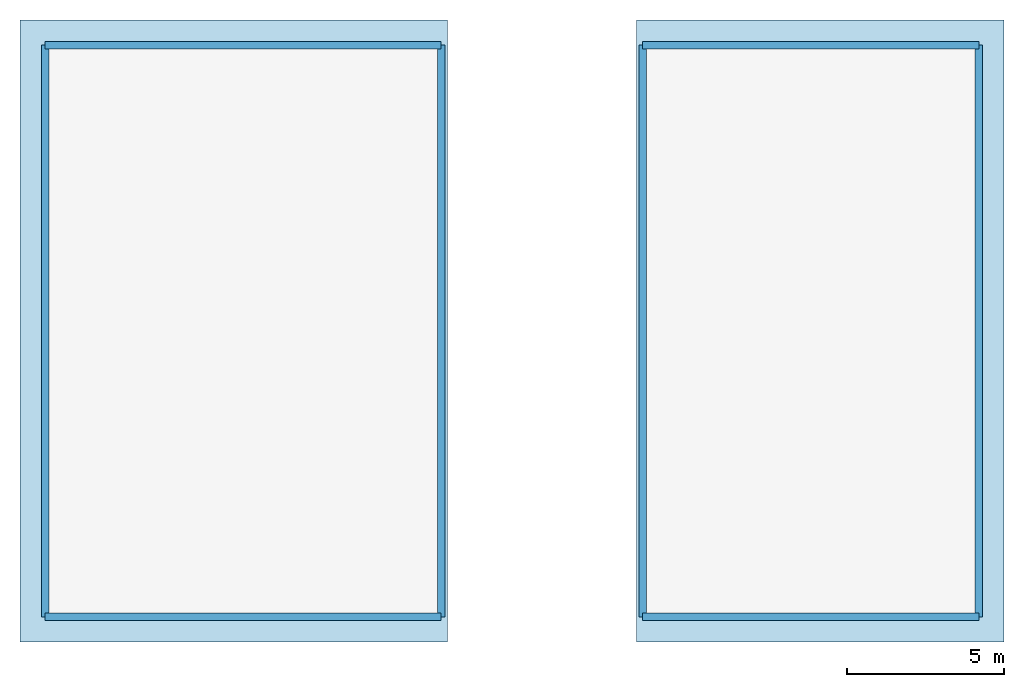
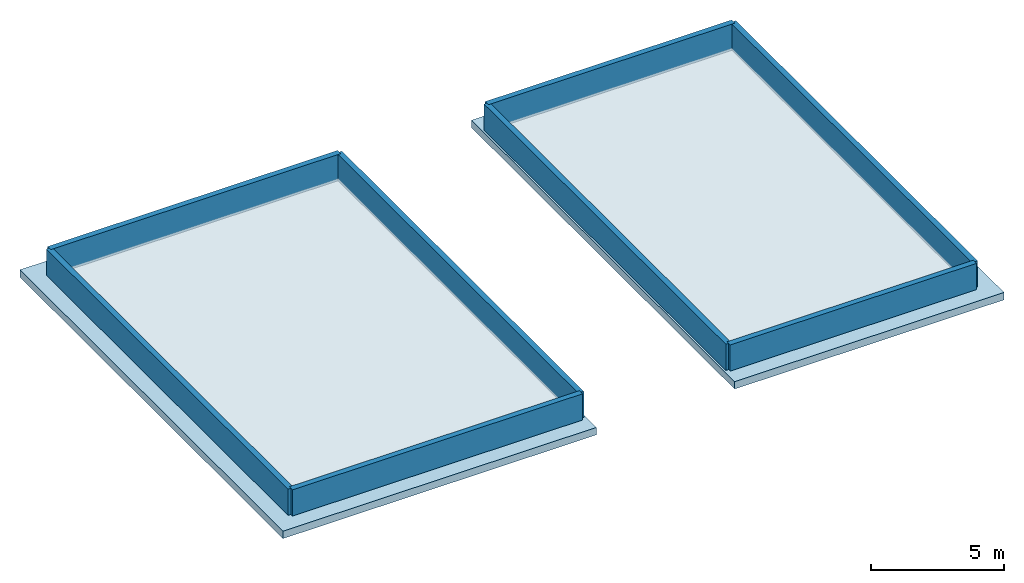
# One storey, part 1 of 2: 8 walls, 2 slabs.
"""IFC4 building model written with IfcOpenShell, lengths in metres."""

from ifc_helpers import new_model, si_unit, direction, frame, frame_2d, origin, place, context, subcontext, project, spatial, polyline, rectangle, outline, extrude, material, layer, layer_set, type_object, element, save


model = new_model("IFC4")

# Units and contexts
model_context = context("Model", 3, precision=1e-05, world=origin(), true_north=direction((0.0, 1.0)))
body_context = subcontext(model_context, "Body", "Model", "MODEL_VIEW")
ifc_project = project(units=[si_unit("LENGTHUNIT", "METRE"), si_unit("AREAUNIT", "SQUARE_METRE"), si_unit("VOLUMEUNIT", "CUBIC_METRE"), si_unit("PLANEANGLEUNIT", "RADIAN"), si_unit("MASSUNIT", "GRAM", prefix="KILO")], contexts=[model_context])

# Site, building, storey
site_placement = place(None, origin())
site = spatial("IfcSite", under=ifc_project, at=site_placement, CompositionType="ELEMENT")
building_placement = place(site_placement, origin())
building = spatial("IfcBuilding", under=site, at=building_placement, Name="Solanera Arch Residences", CompositionType="ELEMENT")
storey_placement = place(building_placement, frame((0.0, 0.0, 302.580078125)))
storey = spatial("IfcBuildingStorey", under=building, at=storey_placement, Name="ROOF", CompositionType="ELEMENT", Elevation=302.580078125)

# Slabs
ifc_material_1 = material(Name="Concrete C55/67 (f'c = 60 MPa)", Category="concrete")
ifc_layer_1 = layer(ifc_material_1, 0.340087890625)
ifc_layer_set_1 = layer_set([ifc_layer_1], Name="Concrete C55/67 (f'c = 60 MPa)")
slab_type = type_object("IfcSlabType", Name="Roof Deck Slab 340", PredefinedType="ROOF", material=ifc_layer_set_1)
slab_1_placement = place(storey_placement, origin())
element("IfcSlab", 1, at=slab_1_placement, inside=storey, type_object=slab_type, Name="Crown West Peak Overhanging Roof Cap", PredefinedType="ROOF", context=body_context, shape_type="SweptSolid", body=[
    extrude(outline(polyline([(9.419921875, 20.820068359375), (23.0, 20.820068359375), (23.0, 40.580078125), (9.419921875, 40.580078125), (9.419921875, 20.820068359375)])), origin(), (0.0, 0.0, 1.0), 0.33984375),
])
slab_2_placement = place(storey_placement, origin())
element("IfcSlab", 2, at=slab_2_placement, inside=storey, type_object=slab_type, Name="Crown East Peak Overhanging Roof Cap", PredefinedType="ROOF", context=body_context, shape_type="SweptSolid", body=[
    extrude(outline(polyline([(29.0, 20.820068359375), (40.679931640625, 20.820068359375), (40.679931640625, 40.580078125), (29.0, 40.580078125), (29.0, 20.820068359375)])), origin(), (0.0, 0.0, 1.0), 0.33984375),
])

# Walls
ifc_material_2 = material(Name="Precast Concrete C35/45", Category="concrete")
ifc_layer_2 = layer(ifc_material_2, 0.239990234375)
ifc_layer_set_2 = layer_set([ifc_layer_2], Name="Precast Concrete C35/45")
wall_type = type_object("IfcWallType", Name="Parapet Wall Precast 240", PredefinedType="PARAPET", material=ifc_layer_set_2)
for number, where, z_axis, x_axis, name in (
    (3, (22.800048828125, 21.6201171875, 0.33984375), (0.0, 0.0, 1.0), (-1.0, 0.0, 0.0), "Crown W Roof Parapet S"),
    (4, (10.219970703125, 39.780029296875, 0.33984375), (0.0, 0.0, 1.0), (1.0, 0.0, 0.0), "Crown W Roof Parapet N"),
):
    element("IfcWall", number, at=place(storey_placement, frame(where, z_axis=z_axis, x_axis=x_axis)), inside=storey, type_object=wall_type, Name=name, PredefinedType="PARAPET", context=body_context, shape_type="SweptSolid", body=[
        extrude(rectangle(XDim=12.580078125, YDim=0.239990234375, at=frame_2d((6.2900390625, 0.0))), origin(), (0.0, 0.0, 1.0), 1.2001953125),
    ])
for number, where, z_axis, x_axis, name in (
    (5, (10.219970703125, 21.6201171875, 0.33984375), (0.0, 0.0, 1.0), (0.0, 1.0, 0.0), "Crown W Roof Parapet W"),
    (6, (22.800048828125, 39.780029296875, 0.33984375), (0.0, 0.0, 1.0), (0.0, -1.0, 0.0), "Crown W Roof Parapet E"),
):
    element("IfcWall", number, at=place(storey_placement, frame(where, z_axis=z_axis, x_axis=x_axis)), inside=storey, type_object=wall_type, Name=name, PredefinedType="PARAPET", context=body_context, shape_type="SweptSolid", body=[
        extrude(rectangle(XDim=18.159912109375, YDim=0.239990234375, at=frame_2d((9.080078125, 0.0))), origin(), (0.0, 0.0, 1.0), 1.2001953125),
    ])
for number, where, z_axis, x_axis, name in (
    (7, (39.8798828125, 21.6201171875, 0.33984375), (0.0, 0.0, 1.0), (-1.0, 0.0, 0.0), "Crown E Roof Parapet S"),
    (8, (29.199951171875, 39.780029296875, 0.33984375), (0.0, 0.0, 1.0), (1.0, 0.0, 0.0), "Crown E Roof Parapet N"),
):
    element("IfcWall", number, at=place(storey_placement, frame(where, z_axis=z_axis, x_axis=x_axis)), inside=storey, type_object=wall_type, Name=name, PredefinedType="PARAPET", context=body_context, shape_type="SweptSolid", body=[
        extrude(rectangle(XDim=10.679931640625, YDim=0.239990234375, at=frame_2d((5.33984375, 0.0))), origin(), (0.0, 0.0, 1.0), 1.2001953125),
    ])
for number, where, z_axis, x_axis, name in (
    (9, (29.199951171875, 21.6201171875, 0.33984375), (0.0, 0.0, 1.0), (0.0, 1.0, 0.0), "Crown E Roof Parapet W"),
    (10, (39.8798828125, 39.780029296875, 0.33984375), (0.0, 0.0, 1.0), (0.0, -1.0, 0.0), "Crown E Roof Parapet E"),
):
    element("IfcWall", number, at=place(storey_placement, frame(where, z_axis=z_axis, x_axis=x_axis)), inside=storey, type_object=wall_type, Name=name, PredefinedType="PARAPET", context=body_context, shape_type="SweptSolid", body=[
        extrude(rectangle(XDim=18.159912109375, YDim=0.239990234375, at=frame_2d((9.080078125, 0.0))), origin(), (0.0, 0.0, 1.0), 1.2001953125),
    ])

save(model, "model.ifc")
